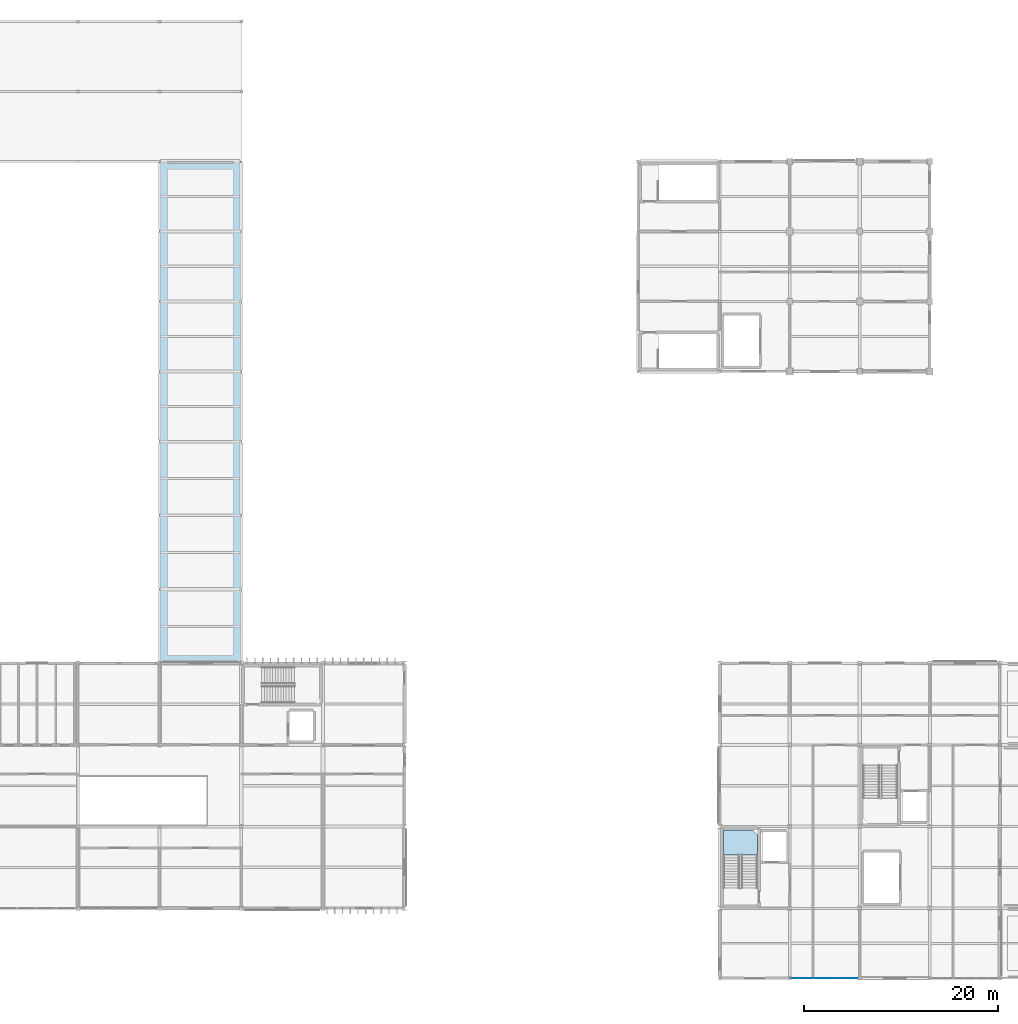
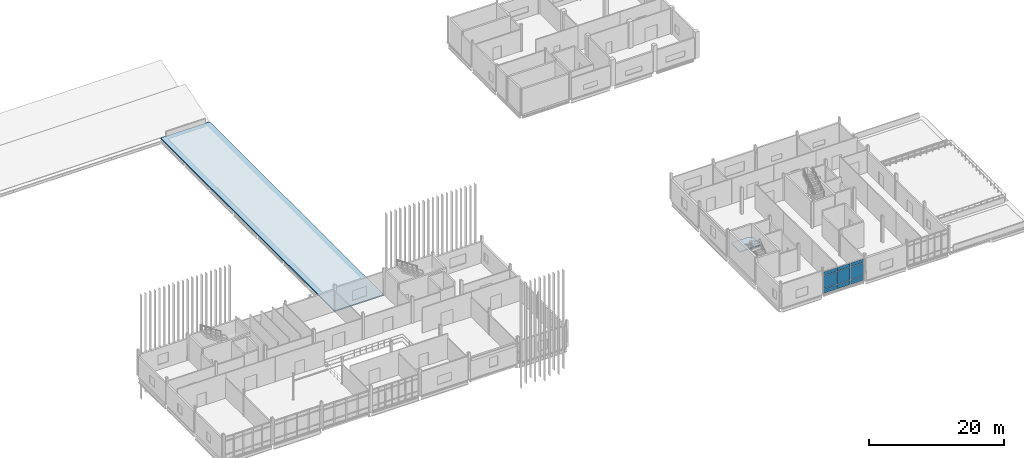
# One storey, part 30 of 72: 9 plates, 2 slabs, 2 elements without a shape of their own.
"""IFC4 building model written with IfcOpenShell, lengths in metres."""

from ifc_helpers import new_model, si_unit, direction, frame, origin, origin_2d, place, context, subcontext, project, spatial, polyline, rectangle, outline, extrude, material, layer, layer_set, type_object, element, aggregate, save


model = new_model("IFC4")

# Units and contexts
model_context = context("Model", 3, precision=1e-05, world=origin(), true_north=direction((0.0, 1.0)))
body_context = subcontext(model_context, "Body", "Model", "MODEL_VIEW")
ifc_project = project(units=[si_unit("LENGTHUNIT", "METRE"), si_unit("AREAUNIT", "SQUARE_METRE"), si_unit("VOLUMEUNIT", "CUBIC_METRE"), si_unit("PLANEANGLEUNIT", "RADIAN"), si_unit("MASSUNIT", "GRAM", prefix="KILO")], contexts=[model_context])

# Site, building, storey
site_placement = place(None, origin())
site = spatial("IfcSite", under=ifc_project, at=site_placement, CompositionType="ELEMENT")
building_placement = place(site_placement, origin())
building = spatial("IfcBuilding", under=site, at=building_placement, Name="Calvrana Isthmian Art Gallery", CompositionType="ELEMENT")
storey_placement = place(building_placement, frame((0.0, 0.0, 15.0)))
storey = spatial("IfcBuildingStorey", under=building, at=storey_placement, Name="L03", CompositionType="ELEMENT", Elevation=15.0)

# Curtain wall, plates
ifc_material_1 = material(Name="Anodized bronze aluminium 6063-T6", Category="aluminium")
ifc_layer_1 = layer(ifc_material_1, 0.179931640625, Name="Anodized bronze aluminium 6063-T6")
ifc_layer_set_1 = layer_set([ifc_layer_1], Name="Anodized bronze aluminium 6063-T6")
curtain_wall_type = type_object("IfcCurtainWallType", Name="CW-STICK-069X40", PredefinedType="NOTDEFINED", material=ifc_layer_set_1)
curtain_wall_placement = place(storey_placement, origin())
curtain_wall = element("IfcCurtainWall", 1, at=curtain_wall_placement, inside=storey, type_object=curtain_wall_type, Name="Curtain wall CW-187", PredefinedType="NOTDEFINED")
ifc_material_2 = material(Name="Low-E laminated solar glass", Category="glass")
ifc_layer_2 = layer(ifc_material_2, 0.028076171875, Name="Low-E laminated solar glass")
ifc_layer_set_2 = layer_set([ifc_layer_2], Name="Low-E laminated solar glass")
plate_type = type_object("IfcPlateType", Name="CWP-VISION-28", PredefinedType="CURTAIN_PANEL", material=ifc_layer_set_2)
plate_1_placement = place(storey_placement, frame((125.875, 14.39990234375, 0.06494140625), z_axis=(0.0, 0.0, 1.0), x_axis=(-1.0, 0.0, 0.0)))
plate_1 = element("IfcPlate", 2, at=plate_1_placement, type_object=plate_type, Name="CW-187 panel 1.1", PredefinedType="CURTAIN_PANEL", context=body_context, shape_type="SweptSolid", body=[
    extrude(rectangle(XDim=2.225341796875, YDim=0.028076171875, at=origin_2d()), origin(), (0.0, 0.0, 1.0), 0.802490234375),
])
plate_2_placement = place(storey_placement, frame((125.875, 14.39990234375, 0.9326171875), z_axis=(0.0, 0.0, 1.0), x_axis=(-1.0, 0.0, 0.0)))
plate_2 = element("IfcPlate", 3, at=plate_2_placement, type_object=plate_type, Name="CW-187 panel 1.2", PredefinedType="CURTAIN_PANEL", context=body_context, shape_type="SweptSolid", body=[
    extrude(rectangle(XDim=2.225341796875, YDim=0.028076171875, at=origin_2d()), origin(), (0.0, 0.0, 1.0), 2.27197265625),
])
plate_3_placement = place(storey_placement, frame((125.875, 14.39990234375, 3.26953125), z_axis=(0.0, 0.0, 1.0), x_axis=(-1.0, 0.0, 0.0)))
plate_3 = element("IfcPlate", 4, at=plate_3_placement, type_object=plate_type, Name="CW-187 panel 1.3", PredefinedType="CURTAIN_PANEL", context=body_context, shape_type="SweptSolid", body=[
    extrude(rectangle(XDim=2.225341796875, YDim=0.028076171875, at=origin_2d()), origin(), (0.0, 0.0, 1.0), 0.652587890625),
])
plate_4_placement = place(storey_placement, frame((123.57470703125, 14.39990234375, 0.06494140625), z_axis=(0.0, 0.0, 1.0), x_axis=(-1.0, 0.0, 0.0)))
plate_4 = element("IfcPlate", 5, at=plate_4_placement, type_object=plate_type, Name="CW-187 panel 2.1", PredefinedType="CURTAIN_PANEL", context=body_context, shape_type="SweptSolid", body=[
    extrude(rectangle(XDim=2.25537109375, YDim=0.028076171875, at=origin_2d()), origin(), (0.0, 0.0, 1.0), 0.802490234375),
])
plate_5_placement = place(storey_placement, frame((123.57470703125, 14.39990234375, 0.9326171875), z_axis=(0.0, 0.0, 1.0), x_axis=(-1.0, 0.0, 0.0)))
plate_5 = element("IfcPlate", 6, at=plate_5_placement, type_object=plate_type, Name="CW-187 panel 2.2", PredefinedType="CURTAIN_PANEL", context=body_context, shape_type="SweptSolid", body=[
    extrude(rectangle(XDim=2.25537109375, YDim=0.028076171875, at=origin_2d()), origin(), (0.0, 0.0, 1.0), 2.27197265625),
])
plate_6_placement = place(storey_placement, frame((123.57470703125, 14.39990234375, 3.26953125), z_axis=(0.0, 0.0, 1.0), x_axis=(-1.0, 0.0, 0.0)))
plate_6 = element("IfcPlate", 7, at=plate_6_placement, type_object=plate_type, Name="CW-187 panel 2.3", PredefinedType="CURTAIN_PANEL", context=body_context, shape_type="SweptSolid", body=[
    extrude(rectangle(XDim=2.25537109375, YDim=0.028076171875, at=origin_2d()), origin(), (0.0, 0.0, 1.0), 0.652587890625),
])
plate_7_placement = place(storey_placement, frame((121.274169921875, 14.39990234375, 0.06494140625), z_axis=(0.0, 0.0, 1.0), x_axis=(-1.0, 0.0, 0.0)))
plate_7 = element("IfcPlate", 8, at=plate_7_placement, type_object=plate_type, Name="CW-187 panel 3.1", PredefinedType="CURTAIN_PANEL", context=body_context, shape_type="SweptSolid", body=[
    extrude(rectangle(XDim=2.225341796875, YDim=0.028076171875, at=origin_2d()), origin(), (0.0, 0.0, 1.0), 0.802490234375),
])
plate_8_placement = place(storey_placement, frame((121.274169921875, 14.39990234375, 0.9326171875), z_axis=(0.0, 0.0, 1.0), x_axis=(-1.0, 0.0, 0.0)))
plate_8 = element("IfcPlate", 9, at=plate_8_placement, type_object=plate_type, Name="CW-187 panel 3.2", PredefinedType="CURTAIN_PANEL", context=body_context, shape_type="SweptSolid", body=[
    extrude(rectangle(XDim=2.225341796875, YDim=0.028076171875, at=origin_2d()), origin(), (0.0, 0.0, 1.0), 2.27197265625),
])
plate_9_placement = place(storey_placement, frame((121.274169921875, 14.39990234375, 3.26953125), z_axis=(0.0, 0.0, 1.0), x_axis=(-1.0, 0.0, 0.0)))
plate_9 = element("IfcPlate", 10, at=plate_9_placement, type_object=plate_type, Name="CW-187 panel 3.3", PredefinedType="CURTAIN_PANEL", context=body_context, shape_type="SweptSolid", body=[
    extrude(rectangle(XDim=2.225341796875, YDim=0.028076171875, at=origin_2d()), origin(), (0.0, 0.0, 1.0), 0.652587890625),
])
aggregate(curtain_wall, [plate_1, plate_2, plate_3, plate_4, plate_5, plate_6, plate_7, plate_8, plate_9])

# Stair, slab
ifc_material_3 = material(Name="Concrete C40/50", Category="concrete")
stair_type = type_object("IfcStairType", Name="STR-HT-480", PredefinedType="HALF_TURN_STAIR", material=ifc_material_3)
stair_placement = place(storey_placement, origin())
stair = element("IfcStair", 11, at=stair_placement, inside=storey, type_object=stair_type, Name="Protected exit stair ST-3 (L03)", PredefinedType="HALF_TURN_STAIR")
ifc_layer_3 = layer(ifc_material_3, 0.199951171875, Name="Concrete C40/50")
ifc_layer_set_3 = layer_set([ifc_layer_3], Name="Concrete C40/50")
slab_type_1 = type_object("IfcSlabType", Name="SLB-LAND-200", PredefinedType="LANDING", material=ifc_layer_set_3)
slab_1_placement = place(storey_placement, frame((0.0, 0.0, 2.199951171875)))
slab_1 = element("IfcSlab", 12, at=slab_1_placement, type_object=slab_type_1, Name="ST-3 landing 1", PredefinedType="LANDING", context=body_context, shape_type="SweptSolid", body=[
    extrude(outline(polyline([(116.68994140625, 27.06005859375), (116.68994140625, 29.139892578125), (116.169921875, 29.659912109375), (113.169921875, 29.659912109375), (113.169921875, 27.06005859375), (116.68994140625, 27.06005859375)])), origin(), (0.0, 0.0, 1.0), 0.199951171875),
])
aggregate(stair, [slab_1])

# Slab
ifc_layer_4 = layer(ifc_material_3, 0.199951171875, Name="Concrete C40/50")
ifc_layer_set_4 = layer_set([ifc_layer_4], Name="Concrete C40/50")
slab_type_2 = type_object("IfcSlabType", Name="SLB-ROOF-200", PredefinedType="ROOF", material=ifc_layer_set_4)
slab_2_placement = place(storey_placement, frame((0.0, 0.0, -0.199951171875)))
element("IfcSlab", 13, at=slab_2_placement, inside=storey, type_object=slab_type_2, Name="Flat roof slab ROOF_V6L_L03", PredefinedType="ROOF", context=body_context, shape_type="SweptSolid", body=[
    extrude(outline(polyline([(55.199951171875, 46.800048828125), (63.60009765625, 46.800048828125), (63.60009765625, 98.39990234375), (55.199951171875, 98.39990234375), (55.199951171875, 46.800048828125)])), origin(), (0.0, 0.0, 1.0), 0.199951171875),
])

save(model, "model.ifc")
